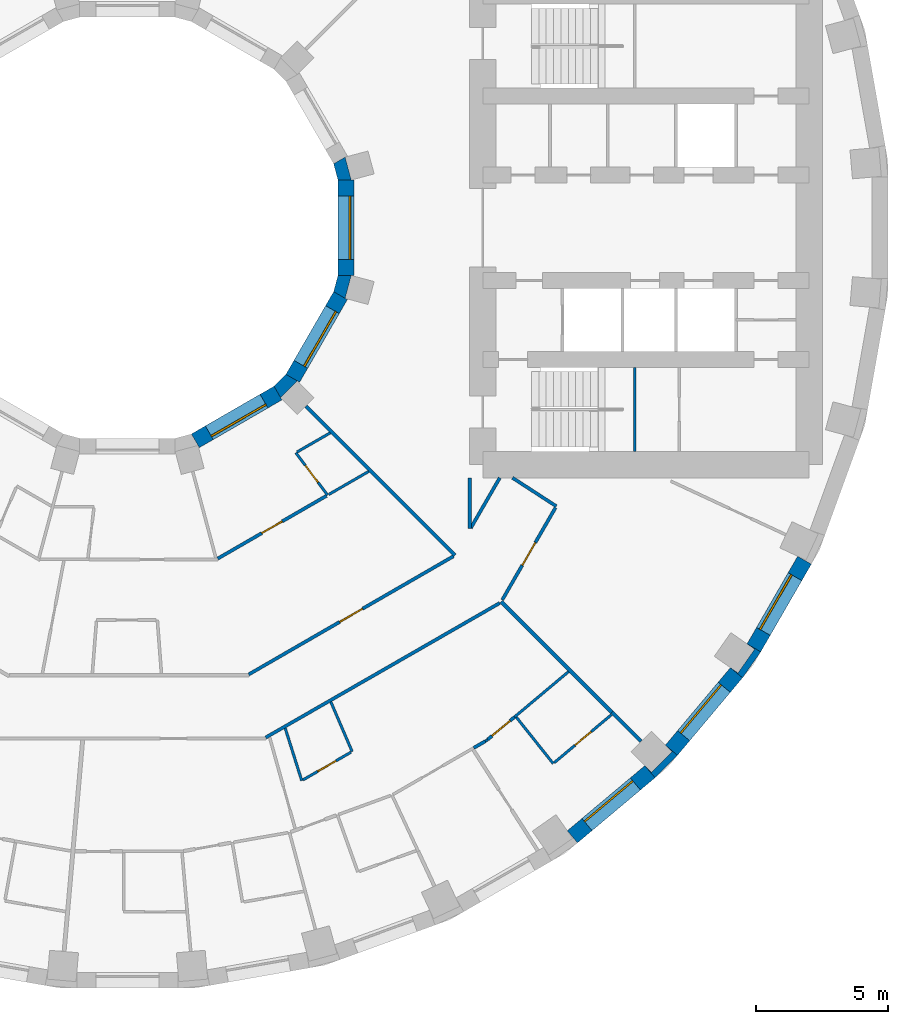
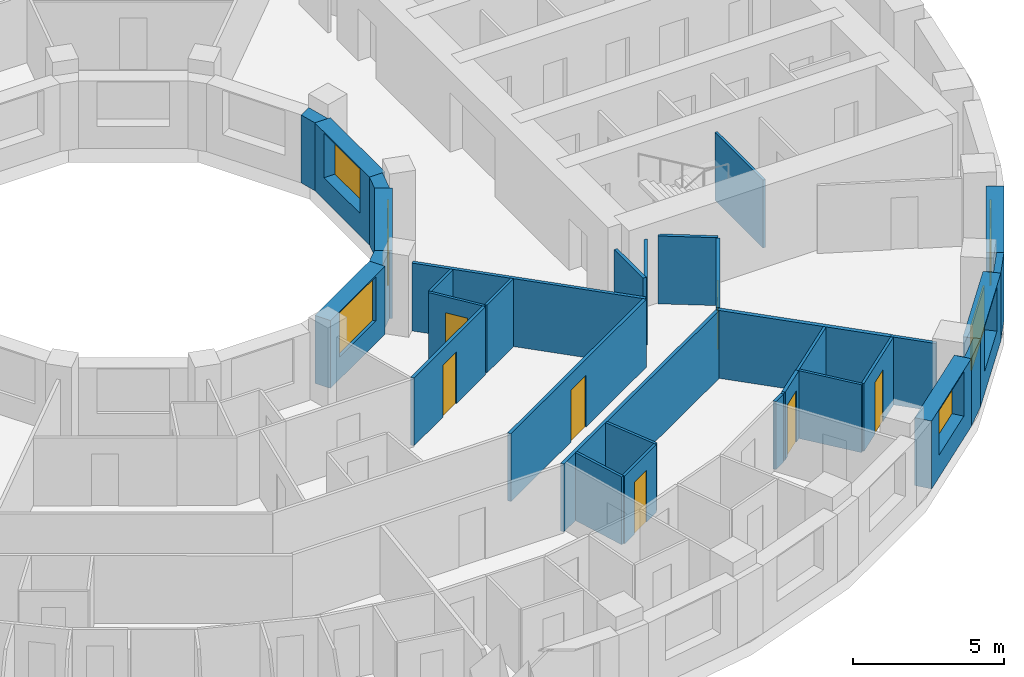
# One storey, part 8 of 15: 34 walls, 7 doors, 6 windows, 13 openings.
"""IFC4 building model written with IfcOpenShell, lengths in metres."""

from ifc_helpers import new_model, si_unit, direction, frame, frame_2d, origin, place, context, subcontext, project, spatial, polyline, rectangle, outline, extrude, material, layer, layer_set, type_object, element, fill, save


model = new_model("IFC4")

# Units and contexts
model_context = context("Model", 3, precision=1e-05, world=origin(), true_north=direction((0.0, 1.0)))
body_context = subcontext(model_context, "Body", "Model", "MODEL_VIEW")
ifc_project = project(units=[si_unit("LENGTHUNIT", "METRE"), si_unit("AREAUNIT", "SQUARE_METRE"), si_unit("VOLUMEUNIT", "CUBIC_METRE"), si_unit("PLANEANGLEUNIT", "RADIAN"), si_unit("MASSUNIT", "GRAM", prefix="KILO")], contexts=[model_context])

# Site, building, storey
site_placement = place(None, origin())
site = spatial("IfcSite", under=ifc_project, at=site_placement, CompositionType="ELEMENT")
building_placement = place(site_placement, origin())
building = spatial("IfcBuilding", under=site, at=building_placement, Name="Saqina Gate Tower", CompositionType="ELEMENT")
storey_placement = place(building_placement, frame((0.0, 0.0, 75.800048828125)))
storey = spatial("IfcBuildingStorey", under=building, at=storey_placement, Name="L21", CompositionType="ELEMENT", Elevation=75.800048828125)

# Walls
ifc_material_1 = material(Name="Brick masonry (red)", Category="masonry")
wall_type_1 = type_object("IfcWallType", Name="BRICK PIER COPING RED", PredefinedType="SOLIDWALL", material=ifc_material_1)
wall_1_placement = place(storey_placement, origin())
element("IfcWall", 1, at=wall_1_placement, inside=storey, type_object=wall_type_1, Name="Pier cap L21 column 32", PredefinedType="SOLIDWALL", context=body_context, shape_type="SweptSolid", body=[
    extrude(outline(polyline([(20.894775390625, -20.04296875), (20.43505859375, -19.6572265625), (20.682861328125, -19.905029296875), (19.905029296875, -20.682861328125), (19.6572265625, -20.43505859375), (20.04296875, -20.894775390625), (20.894775390625, -20.04296875)])), origin(), (0.0, 0.0, 1.0), 2.75),
])
wall_2_placement = place(storey_placement, origin())
element("IfcWall", 2, at=wall_2_placement, inside=storey, type_object=wall_type_1, Name="Pier cap L21 column 33", PredefinedType="SOLIDWALL", context=body_context, shape_type="SweptSolid", body=[
    extrude(outline(polyline([(23.36669921875, -17.096923828125), (24.0576171875, -16.110107421875), (23.5380859375, -15.81005859375), (23.8251953125, -16.010986328125), (23.194091796875, -16.912109375), (22.9072265625, -16.711181640625), (23.36669921875, -17.096923828125)])), origin(), (0.0, 0.0, 1.0), 2.75),
])

# Wall, opening, window
ifc_material_2 = material(Name="Brick masonry (red)", Category="masonry")
ifc_layer_1 = layer(ifc_material_2, 0.60009765625)
ifc_layer_set_1 = layer_set([ifc_layer_1], Name="FW-BRICK-RED")
wall_type_2 = type_object("IfcWallType", Name="FW-BRICK-RED", PredefinedType="SOLIDWALL", material=ifc_layer_set_1)
wall_3_placement = place(storey_placement, frame((16.904052734375, -23.136962890625, 0.0), z_axis=(0.0, 0.0, 1.0), x_axis=(0.766026164483, 0.642809392687, 0.0)))
wall_3 = element("IfcWall", 3, at=wall_3_placement, inside=storey, type_object=wall_type_2, Name="Facade wall L21 facet 31", PredefinedType="SOLIDWALL", context=body_context, shape_type="SweptSolid", body=[
    extrude(rectangle(XDim=3.845947265625, YDim=0.60009765625, at=frame_2d((1.9228515625, 0.0))), origin(), (0.0, 0.0, 1.0), 2.75),
])
opening_1_placement = place(wall_3_placement, frame((0.722900390625, 0.0, 0.89990234375)))
opening_1 = element("IfcOpeningElement", 4, at=opening_1_placement, cuts=wall_3, Name="Opening G06-W20", PredefinedType="OPENING", context=body_context, shape_type="SweptSolid", body=[
    extrude(rectangle(XDim=2.39990234375, YDim=1.800048828125, at=frame_2d((1.199951171875, 0.89990234375))), frame((0.0, 0.31201171875, 0.0), z_axis=(0.0, -1.0, 0.0), x_axis=(1.0, 0.0, 0.0)), (0.0, 0.0, 1.0), 0.6240234375),
])
ifc_material_3 = material(Name="Aluminium glazing", Category="aluminium")
window_type_1 = type_object("IfcWindowType", Name="WN-A", PartitioningType="SINGLE_PANEL", PredefinedType="WINDOW", material=ifc_material_3)
window_1_placement = place(opening_1_placement, origin())
window_1 = element("IfcWindow", 5, at=window_1_placement, inside=storey, type_object=window_type_1, Name="Window L21 facet 31", OverallHeight=1.800048828125, OverallWidth=2.39990234375, PartitioningType="SINGLE_PANEL", PredefinedType="WINDOW", context=body_context, shape_type="SweptSolid", body=[
    extrude(rectangle(XDim=2.39990234375, YDim=1.800048828125, at=frame_2d((1.199951171875, 0.89990234375))), frame((0.0, 0.179931640625, 0.0), z_axis=(0.0, -1.0, 0.0), x_axis=(1.0, 0.0, 0.0)), (0.0, 0.0, 1.0), 0.06005859375),
])
fill(opening_1, window_1)

wall_4_placement = place(storey_placement, frame((20.664794921875, -19.85009765625, 0.0), z_axis=(0.0, 0.0, 1.0), x_axis=(0.642809392687, 0.766026164483, 0.0)))
wall_4 = element("IfcWall", 6, at=wall_4_placement, inside=storey, type_object=wall_type_2, Name="Facade wall L21 facet 32", PredefinedType="SOLIDWALL", context=body_context, shape_type="SweptSolid", body=[
    extrude(rectangle(XDim=3.845947265625, YDim=0.60009765625, at=frame_2d((1.9228515625, 0.0))), origin(), (0.0, 0.0, 1.0), 2.75),
])
opening_2_placement = place(wall_4_placement, frame((0.722900390625, 0.0, 0.89990234375)))
opening_2 = element("IfcOpeningElement", 7, at=opening_2_placement, cuts=wall_4, Name="Opening G06-W21", PredefinedType="OPENING", context=body_context, shape_type="SweptSolid", body=[
    extrude(rectangle(XDim=2.39990234375, YDim=1.800048828125, at=frame_2d((1.199951171875, 0.89990234375))), frame((0.0, 0.31201171875, 0.0), z_axis=(0.0, -1.0, 0.0), x_axis=(1.0, 0.0, 0.0)), (0.0, 0.0, 1.0), 0.6240234375),
])
window_2_placement = place(opening_2_placement, origin())
window_2 = element("IfcWindow", 8, at=window_2_placement, inside=storey, type_object=window_type_1, Name="Window L21 facet 32", OverallHeight=1.800048828125, OverallWidth=2.39990234375, PartitioningType="SINGLE_PANEL", PredefinedType="WINDOW", context=body_context, shape_type="SweptSolid", body=[
    extrude(rectangle(XDim=2.39990234375, YDim=1.800048828125, at=frame_2d((1.199951171875, 0.89990234375))), frame((0.0, 0.179931640625, 0.0), z_axis=(0.0, -1.0, 0.0), x_axis=(1.0, 0.0, 0.0)), (0.0, 0.0, 1.0), 0.06005859375),
])
fill(opening_2, window_2)

wall_5_placement = place(storey_placement, frame((23.7978515625, -15.960205078125, 0.0), z_axis=(0.0, 0.0, 1.0), x_axis=(0.499989888488, 0.86603124159, 0.0)))
wall_5 = element("IfcWall", 9, at=wall_5_placement, inside=storey, type_object=wall_type_2, Name="Facade wall L21 facet 33", PredefinedType="SOLIDWALL", context=body_context, shape_type="SweptSolid", body=[
    extrude(rectangle(XDim=3.845703125, YDim=0.60009765625, at=frame_2d((1.9228515625, 0.0))), origin(), (0.0, 0.0, 1.0), 2.75),
])
opening_3_placement = place(wall_5_placement, frame((0.722900390625, 0.0, 0.89990234375)))
opening_3 = element("IfcOpeningElement", 10, at=opening_3_placement, cuts=wall_5, Name="Opening G06-W22", PredefinedType="OPENING", context=body_context, shape_type="SweptSolid", body=[
    extrude(rectangle(XDim=2.39990234375, YDim=1.800048828125, at=frame_2d((1.199951171875, 0.89990234375))), frame((0.0, 0.31201171875, 0.0), z_axis=(0.0, -1.0, 0.0), x_axis=(1.0, 0.0, 0.0)), (0.0, 0.0, 1.0), 0.6240234375),
])
window_3_placement = place(opening_3_placement, origin())
window_3 = element("IfcWindow", 11, at=window_3_placement, inside=storey, type_object=window_type_1, Name="Window L21 facet 33", OverallHeight=1.800048828125, OverallWidth=2.39990234375, PartitioningType="SINGLE_PANEL", PredefinedType="WINDOW", context=body_context, shape_type="SweptSolid", body=[
    extrude(rectangle(XDim=2.39990234375, YDim=1.800048828125, at=frame_2d((1.199951171875, 0.89990234375))), frame((0.0, 0.179931640625, 0.0), z_axis=(0.0, -1.0, 0.0), x_axis=(1.0, 0.0, 0.0)), (0.0, 0.0, 1.0), 0.06005859375),
])
fill(opening_3, window_3)

ifc_material_4 = material(Name="Glazed ceramic tile", Category="ceramic")
ifc_layer_2 = layer(ifc_material_4, 0.60009765625)
ifc_layer_set_2 = layer_set([ifc_layer_2], Name="IW-TILE")
wall_type_3 = type_object("IfcWallType", Name="IW-TILE", PredefinedType="SOLIDWALL", material=ifc_layer_set_2)
wall_6_placement = place(storey_placement, frame((2.580322265625, -8.09423828125, 0.0), z_axis=(0.0, 0.0, 1.0), x_axis=(0.866029693906, 0.499992569217, 0.0)))
wall_6 = element("IfcWall", 12, at=wall_6_placement, inside=storey, type_object=wall_type_3, Name="Well wall L21 facet 10", PredefinedType="SOLIDWALL", context=body_context, shape_type="SweptSolid", body=[
    extrude(rectangle(XDim=3.625, YDim=0.60009765625, at=frame_2d((1.8125, 0.0))), origin(), (0.0, 0.0, 1.0), 2.75),
])
opening_4_placement = place(wall_6_placement, frame((0.612548828125, 0.0, 0.89990234375)))
opening_4 = element("IfcOpeningElement", 13, at=opening_4_placement, cuts=wall_6, Name="Opening G06-W32", PredefinedType="OPENING", context=body_context, shape_type="SweptSolid", body=[
    extrude(rectangle(XDim=2.39990234375, YDim=1.800048828125, at=frame_2d((1.199951171875, 0.89990234375))), frame((0.0, 0.31201171875, 0.0), z_axis=(0.0, -1.0, 0.0), x_axis=(1.0, 0.0, 0.0)), (0.0, 0.0, 1.0), 0.6240234375),
])
ifc_material_5 = material(Name="Aluminium glazing", Category="aluminium")
window_type_2 = type_object("IfcWindowType", Name="WN-W", PartitioningType="SINGLE_PANEL", PredefinedType="WINDOW", material=ifc_material_5)
window_4_placement = place(opening_4_placement, origin())
window_4 = element("IfcWindow", 14, at=window_4_placement, inside=storey, type_object=window_type_2, Name="Well window L21 facet 10", OverallHeight=1.800048828125, OverallWidth=2.39990234375, PartitioningType="SINGLE_PANEL", PredefinedType="WINDOW", context=body_context, shape_type="SweptSolid", body=[
    extrude(rectangle(XDim=2.39990234375, YDim=1.800048828125, at=frame_2d((1.199951171875, 0.89990234375))), frame((0.0, -0.119873046875, 0.0), z_axis=(0.0, -1.0, 0.0), x_axis=(1.0, 0.0, 0.0)), (0.0, 0.0, 1.0), 0.06005859375),
])
fill(opening_4, window_4)

wall_7_placement = place(storey_placement, frame((6.28173828125, -5.7197265625, 0.0), z_axis=(0.0, 0.0, 1.0), x_axis=(0.499992569217, 0.866029693906, 0.0)))
wall_7 = element("IfcWall", 15, at=wall_7_placement, inside=storey, type_object=wall_type_3, Name="Well wall L21 facet 11", PredefinedType="SOLIDWALL", context=body_context, shape_type="SweptSolid", body=[
    extrude(rectangle(XDim=3.625, YDim=0.60009765625, at=frame_2d((1.8125, 0.0))), origin(), (0.0, 0.0, 1.0), 2.75),
])
opening_5_placement = place(wall_7_placement, frame((0.612548828125, 0.0, 0.89990234375)))
opening_5 = element("IfcOpeningElement", 16, at=opening_5_placement, cuts=wall_7, Name="Opening G06-W33", PredefinedType="OPENING", context=body_context, shape_type="SweptSolid", body=[
    extrude(rectangle(XDim=2.39990234375, YDim=1.800048828125, at=frame_2d((1.199951171875, 0.89990234375))), frame((0.0, 0.31201171875, 0.0), z_axis=(0.0, -1.0, 0.0), x_axis=(1.0, 0.0, 0.0)), (0.0, 0.0, 1.0), 0.6240234375),
])
window_5_placement = place(opening_5_placement, origin())
window_5 = element("IfcWindow", 17, at=window_5_placement, inside=storey, type_object=window_type_2, Name="Well window L21 facet 11", OverallHeight=1.800048828125, OverallWidth=2.39990234375, PartitioningType="SINGLE_PANEL", PredefinedType="WINDOW", context=body_context, shape_type="SweptSolid", body=[
    extrude(rectangle(XDim=2.39990234375, YDim=1.800048828125, at=frame_2d((1.199951171875, 0.89990234375))), frame((0.0, -0.119873046875, 0.0), z_axis=(0.0, -1.0, 0.0), x_axis=(1.0, 0.0, 0.0)), (0.0, 0.0, 1.0), 0.06005859375),
])
fill(opening_5, window_5)

wall_8_placement = place(storey_placement, frame((8.300048828125, -1.8125, 0.0), z_axis=(0.0, 0.0, 1.0), x_axis=(0.0, 1.0, 0.0)))
wall_8 = element("IfcWall", 18, at=wall_8_placement, inside=storey, type_object=wall_type_3, Name="Well wall L21 facet 12", PredefinedType="SOLIDWALL", context=body_context, shape_type="SweptSolid", body=[
    extrude(rectangle(XDim=3.625, YDim=0.60009765625, at=frame_2d((1.8125, 0.0))), origin(), (0.0, 0.0, 1.0), 2.75),
])
opening_6_placement = place(wall_8_placement, frame((0.612548828125, 0.0, 0.89990234375)))
opening_6 = element("IfcOpeningElement", 19, at=opening_6_placement, cuts=wall_8, Name="Opening G06-W34", PredefinedType="OPENING", context=body_context, shape_type="SweptSolid", body=[
    extrude(rectangle(XDim=2.39990234375, YDim=1.800048828125, at=frame_2d((1.199951171875, 0.89990234375))), frame((0.0, 0.31201171875, 0.0), z_axis=(0.0, -1.0, 0.0), x_axis=(1.0, 0.0, 0.0)), (0.0, 0.0, 1.0), 0.6240234375),
])
window_6_placement = place(opening_6_placement, origin())
window_6 = element("IfcWindow", 20, at=window_6_placement, inside=storey, type_object=window_type_2, Name="Well window L21 facet 12", OverallHeight=1.800048828125, OverallWidth=2.39990234375, PartitioningType="SINGLE_PANEL", PredefinedType="WINDOW", context=body_context, shape_type="SweptSolid", body=[
    extrude(rectangle(XDim=2.39990234375, YDim=1.800048828125, at=frame_2d((1.199951171875, 0.89990234375))), frame((0.0, -0.119873046875, 0.0), z_axis=(0.0, -1.0, 0.0), x_axis=(1.0, 0.0, 0.0)), (0.0, 0.0, 1.0), 0.06005859375),
])
fill(opening_6, window_6)

# Walls
ifc_material_6 = material(Name="Gypsum board on steel studs, 100 mm", Category="steel")
ifc_layer_3 = layer(ifc_material_6, 0.10009765625)
ifc_layer_set_3 = layer_set([ifc_layer_3], Name="PARTITION 100")
wall_type_4 = type_object("IfcWallType", Name="PARTITION 100", PredefinedType="PARTITIONING", material=ifc_layer_set_3)
wall_9_placement = place(storey_placement, frame((5.993896484375, -19.010986328125, 0.0), z_axis=(0.0, 0.0, 1.0), x_axis=(0.30075653294, -0.953700953074, 0.0)))
element("IfcWall", 21, at=wall_9_placement, inside=storey, type_object=wall_type_4, Name="PARTITION PW3-11", PredefinedType="PARTITIONING", context=body_context, shape_type="SweptSolid", body=[
    extrude(rectangle(XDim=2.088623046875, YDim=0.10009765625, at=frame_2d((1.04443359375, 0.0))), origin(), (0.0, 0.0, 1.0), 2.75),
])
wall_10_placement = place(storey_placement, frame((7.726806640625, -18.01171875, 0.0), z_axis=(0.0, 0.0, 1.0), x_axis=(0.394206404495, -0.919021931542, 0.0)))
element("IfcWall", 22, at=wall_10_placement, inside=storey, type_object=wall_type_4, Name="PARTITION PW3-16", PredefinedType="PARTITIONING", context=body_context, shape_type="SweptSolid", body=[
    extrude(rectangle(XDim=2.052490234375, YDim=0.10009765625, at=frame_2d((1.0263671875, 0.0))), origin(), (0.0, 0.0, 1.0), 2.75),
])

# Wall, opening, door
wall_11_placement = place(storey_placement, frame((6.39697265625, -8.5458984375, 0.0), z_axis=(0.0, 0.0, 1.0), x_axis=(0.599127127914, -0.800653910624, 0.0)))
wall_11 = element("IfcWall", 23, at=wall_11_placement, inside=storey, type_object=wall_type_4, Name="PARTITION PW3-27", PredefinedType="PARTITIONING", context=body_context, shape_type="SweptSolid", body=[
    extrude(rectangle(XDim=2.0146484375, YDim=0.10009765625, at=frame_2d((1.00732421875, 0.0))), origin(), (0.0, 0.0, 1.0), 2.75),
])
opening_7_placement = place(wall_11_placement, frame((0.607421875, 0.0, 0.0)))
opening_7 = element("IfcOpeningElement", 24, at=opening_7_placement, cuts=wall_11, Name="Opening G06-D69", PredefinedType="OPENING", context=body_context, shape_type="SweptSolid", body=[
    extrude(rectangle(XDim=0.800048828125, YDim=2.10009765625, at=frame_2d((0.39990234375, 1.050048828125))), frame((0.0, 0.06201171875, 0.0), z_axis=(0.0, -1.0, 0.0), x_axis=(1.0, 0.0, 0.0)), (0.0, 0.0, 1.0), 0.1240234375),
])
ifc_material_7 = material(Name="Timber door leaf, 800 mm", Category="wood")
door_type_1 = type_object("IfcDoorType", Name="DOOR 800 TIMBER", OperationType="SINGLE_SWING_LEFT", PredefinedType="DOOR", material=ifc_material_7)
door_1_placement = place(opening_7_placement, frame((0.800048828125, 0.0, 0.0), z_axis=(0.0, 0.0, 1.0), x_axis=(-1.0, 0.0, 0.0)))
door_1 = element("IfcDoor", 25, at=door_1_placement, inside=storey, type_object=door_type_1, Name="DOOR G06-D69", OperationType="SINGLE_SWING_LEFT", OverallHeight=2.10009765625, OverallWidth=0.800048828125, PredefinedType="DOOR", context=body_context, shape_type="SweptSolid", body=[
    extrude(rectangle(XDim=0.800048828125, YDim=2.10009765625, at=frame_2d((0.39990234375, 1.050048828125))), frame((0.0, 0.02490234375, 0.0), z_axis=(0.0, -1.0, 0.0), x_axis=(1.0, 0.0, 0.0)), (0.0, 0.0, 1.0), 0.050048828125),
])
fill(opening_7, door_1)

# Walls
wall_12_placement = place(storey_placement, frame((14.774169921875, -18.59326171875, 0.0), z_axis=(0.0, 0.0, 1.0), x_axis=(0.622124779816, -0.782918104491, 0.0)))
element("IfcWall", 26, at=wall_12_placement, inside=storey, type_object=wall_type_4, Name="PARTITION PW3-28", PredefinedType="PARTITIONING", context=body_context, shape_type="SweptSolid", body=[
    extrude(rectangle(XDim=2.250244140625, YDim=0.10009765625, at=frame_2d((1.125, 0.0))), origin(), (0.0, 0.0, 1.0), 2.75),
])
wall_13_placement = place(storey_placement, frame((13.5966796875, -19.5048828125, 0.0), z_axis=(0.0, 0.0, 1.0), x_axis=(0.86665063443, 0.498915501706, 0.0)))
element("IfcWall", 27, at=wall_13_placement, inside=storey, type_object=wall_type_4, Name="PARTITION PW3-74", PredefinedType="PARTITIONING", context=body_context, shape_type="SweptSolid", body=[
    extrude(rectangle(XDim=0.113525390625, YDim=0.10009765625, at=frame_2d((0.056640625, 0.0))), origin(), (0.0, 0.0, 1.0), 2.75),
])

# Wall, opening, door
wall_14_placement = place(storey_placement, frame((6.665283203125, -20.97802734375, 0.0), z_axis=(0.0, 0.0, 1.0), x_axis=(0.866048788483, 0.499959494327, 0.0)))
wall_14 = element("IfcWall", 28, at=wall_14_placement, inside=storey, type_object=wall_type_4, Name="PARTITION PW3-75", PredefinedType="PARTITIONING", context=body_context, shape_type="SweptSolid", body=[
    extrude(rectangle(XDim=2.110107421875, YDim=0.10009765625, at=frame_2d((1.05517578125, 0.0))), origin(), (0.0, 0.0, 1.0), 2.75),
])
opening_8_placement = place(wall_14_placement, frame((0.655029296875, 0.0, 0.0)))
opening_8 = element("IfcOpeningElement", 29, at=opening_8_placement, cuts=wall_14, Name="Opening G06-D62", PredefinedType="OPENING", context=body_context, shape_type="SweptSolid", body=[
    extrude(rectangle(XDim=0.800048828125, YDim=2.10009765625, at=frame_2d((0.39990234375, 1.050048828125))), frame((0.0, 0.06201171875, 0.0), z_axis=(0.0, -1.0, 0.0), x_axis=(1.0, 0.0, 0.0)), (0.0, 0.0, 1.0), 0.1240234375),
])
door_2_placement = place(opening_8_placement, frame((0.800048828125, 0.0, 0.0), z_axis=(0.0, 0.0, 1.0), x_axis=(-1.0, 0.0, 0.0)))
door_2 = element("IfcDoor", 30, at=door_2_placement, inside=storey, type_object=door_type_1, Name="DOOR G06-D62", OperationType="SINGLE_SWING_RIGHT", OverallHeight=2.10009765625, OverallWidth=0.800048828125, PredefinedType="DOOR", context=body_context, shape_type="SweptSolid", body=[
    extrude(rectangle(XDim=0.800048828125, YDim=2.10009765625, at=frame_2d((0.39990234375, 1.050048828125))), frame((0.0, 0.02490234375, 0.0), z_axis=(0.0, -1.0, 0.0), x_axis=(1.0, 0.0, 0.0)), (0.0, 0.0, 1.0), 0.050048828125),
])
fill(opening_8, door_2)

# Walls
wall_15_placement = place(storey_placement, frame((7.647216796875, -10.134033203125, 0.0), z_axis=(0.0, 0.0, 1.0), x_axis=(0.86608153646, 0.499902762748, 0.0)))
element("IfcWall", 31, at=wall_15_placement, inside=storey, type_object=wall_type_4, Name="PARTITION PW3-76", PredefinedType="PARTITIONING", context=body_context, shape_type="SweptSolid", body=[
    extrude(rectangle(XDim=1.758056640625, YDim=0.10009765625, at=frame_2d((0.87890625, 0.0))), origin(), (0.0, 0.0, 1.0), 2.75),
])
wall_16_placement = place(storey_placement, frame((6.4404296875, -8.52099609375, 0.0), z_axis=(0.0, 0.0, 1.0), x_axis=(0.866271831494, 0.499572931572, 0.0)))
element("IfcWall", 32, at=wall_16_placement, inside=storey, type_object=wall_type_4, Name="PARTITION PW3-77", PredefinedType="PARTITIONING", context=body_context, shape_type="SweptSolid", body=[
    extrude(rectangle(XDim=1.460693359375, YDim=0.10009765625, at=frame_2d((0.73046875, 0.0))), origin(), (0.0, 0.0, 1.0), 2.75),
])

# Wall, opening, door
wall_17_placement = place(storey_placement, frame((16.21240234375, -20.32275390625, 0.0), z_axis=(0.0, 0.0, 1.0), x_axis=(0.766232462385, 0.642563470474, 0.0)))
wall_17 = element("IfcWall", 33, at=wall_17_placement, inside=storey, type_object=wall_type_4, Name="PARTITION PW3-88", PredefinedType="PARTITIONING", context=body_context, shape_type="SweptSolid", body=[
    extrude(rectangle(XDim=2.8427734375, YDim=0.10009765625, at=frame_2d((1.42138671875, 0.0))), origin(), (0.0, 0.0, 1.0), 2.75),
])
opening_9_placement = place(wall_17_placement, frame((1.033935546875, 0.0, 0.0)))
opening_9 = element("IfcOpeningElement", 34, at=opening_9_placement, cuts=wall_17, Name="Opening G06-D70", PredefinedType="OPENING", context=body_context, shape_type="SweptSolid", body=[
    extrude(rectangle(XDim=0.800048828125, YDim=2.10009765625, at=frame_2d((0.39990234375, 1.050048828125))), frame((0.0, 0.06201171875, 0.0), z_axis=(0.0, -1.0, 0.0), x_axis=(1.0, 0.0, 0.0)), (0.0, 0.0, 1.0), 0.1240234375),
])
door_3_placement = place(opening_9_placement, frame((0.800048828125, 0.0, 0.0), z_axis=(0.0, 0.0, 1.0), x_axis=(-1.0, 0.0, 0.0)))
door_3 = element("IfcDoor", 35, at=door_3_placement, inside=storey, type_object=door_type_1, Name="DOOR G06-D70", OperationType="SINGLE_SWING_LEFT", OverallHeight=2.10009765625, OverallWidth=0.800048828125, PredefinedType="DOOR", context=body_context, shape_type="SweptSolid", body=[
    extrude(rectangle(XDim=0.800048828125, YDim=2.10009765625, at=frame_2d((0.39990234375, 1.050048828125))), frame((0.0, 0.02490234375, 0.0), z_axis=(0.0, -1.0, 0.0), x_axis=(1.0, 0.0, 0.0)), (0.0, 0.0, 1.0), 0.050048828125),
])
fill(opening_9, door_3)

# Walls
wall_18_placement = place(storey_placement, frame((14.704345703125, -18.5859375, 0.0), z_axis=(0.0, 0.0, 1.0), x_axis=(0.765999084346, 0.642841662294, 0.0)))
element("IfcWall", 36, at=wall_18_placement, inside=storey, type_object=wall_type_4, Name="PARTITION PW3-89", PredefinedType="PARTITIONING", context=body_context, shape_type="SweptSolid", body=[
    extrude(rectangle(XDim=2.68017578125, YDim=0.10009765625, at=frame_2d((1.340087890625, 0.0))), origin(), (0.0, 0.0, 1.0), 2.75),
])
ifc_material_8 = material(Name="Gypsum board on steel studs, 125 mm, fire rated", Category="steel")
ifc_layer_4 = layer(ifc_material_8, 0.125)
ifc_layer_set_4 = layer_set([ifc_layer_4], Name="PARTITION EI 30 125")
wall_type_5 = type_object("IfcWallType", Name="PARTITION EI 30 125", PredefinedType="PARTITIONING", material=ifc_layer_set_4)
wall_19_placement = place(storey_placement, frame((6.78271484375, -6.78271484375, 0.0), z_axis=(0.0, 0.0, 1.0), x_axis=(0.707106781187, -0.707106781187, 0.0)))
element("IfcWall", 37, at=wall_19_placement, inside=storey, type_object=wall_type_5, Name="PARTITION PW1-14", PredefinedType="PARTITIONING", context=body_context, shape_type="SweptSolid", body=[
    extrude(rectangle(XDim=8.0078125, YDim=0.125, at=frame_2d((4.00390625, 0.0))), origin(), (0.0, 0.0, 1.0), 2.75),
])
wall_20_placement = place(storey_placement, frame((18.40380859375, -18.40380859375, 0.0), z_axis=(0.0, 0.0, 1.0), x_axis=(0.707106781187, -0.707106781187, 0.0)))
element("IfcWall", 38, at=wall_20_placement, inside=storey, type_object=wall_type_5, Name="PARTITION PW1-15", PredefinedType="PARTITIONING", context=body_context, shape_type="SweptSolid", body=[
    extrude(rectangle(XDim=1.56298828125, YDim=0.125, at=frame_2d((0.781494140625, 0.0))), origin(), (0.0, 0.0, 1.0), 2.75),
])
wall_21_placement = place(storey_placement, frame((14.62890625, -9.5, 0.0), z_axis=(0.0, 0.0, 1.0), x_axis=(0.838803325008, -0.544434552499, 0.0)))
element("IfcWall", 39, at=wall_21_placement, inside=storey, type_object=wall_type_5, Name="PARTITION PW1-19", PredefinedType="PARTITIONING", context=body_context, shape_type="SweptSolid", body=[
    extrude(rectangle(XDim=1.98388671875, YDim=0.125, at=frame_2d((0.991943359375, 0.0))), origin(), (0.0, 0.0, 1.0), 2.75),
])
wall_22_placement = place(storey_placement, frame((5.251220703125, -19.366943359375, 0.0), z_axis=(0.0, 0.0, 1.0), x_axis=(0.86701914354, 0.498274828519, 0.0)))
element("IfcWall", 40, at=wall_22_placement, inside=storey, type_object=wall_type_5, Name="PARTITION PW1-42", PredefinedType="PARTITIONING", context=body_context, shape_type="SweptSolid", body=[
    extrude(rectangle(XDim=10.259033203125, YDim=0.125, at=frame_2d((5.12939453125, 0.0))), origin(), (0.0, 0.0, 1.0), 2.75),
])
wall_23_placement = place(storey_placement, frame((13.154296875, -19.760986328125, 0.0), z_axis=(0.0, 0.0, 1.0), x_axis=(0.865644253932, 0.500659590574, 0.0)))
element("IfcWall", 41, at=wall_23_placement, inside=storey, type_object=wall_type_5, Name="PARTITION PW1-44", PredefinedType="PARTITIONING", context=body_context, shape_type="SweptSolid", body=[
    extrude(rectangle(XDim=0.510986328125, YDim=0.125, at=frame_2d((0.25537109375, 0.0))), origin(), (0.0, 0.0, 1.0), 2.75),
])

# Wall, opening, door
wall_24_placement = place(storey_placement, frame((4.609130859375, -16.96875, 0.0), z_axis=(0.0, 0.0, 1.0), x_axis=(0.866042609802, 0.499970197119, 0.0)))
wall_24 = element("IfcWall", 42, at=wall_24_placement, inside=storey, type_object=wall_type_5, Name="PARTITION PW1-45", PredefinedType="PARTITIONING", context=body_context, shape_type="SweptSolid", body=[
    extrude(rectangle(XDim=8.9853515625, YDim=0.125, at=frame_2d((4.49267578125, 0.0))), origin(), (0.0, 0.0, 1.0), 2.75),
])
opening_10_placement = place(wall_24_placement, frame((3.99267578125, 0.0, 0.0)))
opening_10 = element("IfcOpeningElement", 43, at=opening_10_placement, cuts=wall_24, Name="Opening G06-D66", PredefinedType="OPENING", context=body_context, shape_type="SweptSolid", body=[
    extrude(rectangle(XDim=1.0, YDim=2.10009765625, at=frame_2d((0.5, 1.050048828125))), frame((0.0, 0.074462890625, 0.0), z_axis=(0.0, -1.0, 0.0), x_axis=(1.0, 0.0, 0.0)), (0.0, 0.0, 1.0), 0.14892578125),
])
ifc_material_9 = material(Name="Fire door leaf EI 30, 1000 mm")
door_type_2 = type_object("IfcDoorType", Name="DOOR 1000 EI 30", OperationType="SINGLE_SWING_LEFT", PredefinedType="DOOR", material=ifc_material_9)
door_4_placement = place(opening_10_placement, origin())
door_4 = element("IfcDoor", 44, at=door_4_placement, inside=storey, type_object=door_type_2, Name="DOOR G06-D66", OperationType="SINGLE_SWING_LEFT", OverallHeight=2.10009765625, OverallWidth=1.0, PredefinedType="DOOR", context=body_context, shape_type="SweptSolid", body=[
    extrude(rectangle(XDim=1.0, YDim=2.10009765625, at=frame_2d((0.5, 1.050048828125))), frame((0.0, 0.02490234375, 0.0), z_axis=(0.0, -1.0, 0.0), x_axis=(1.0, 0.0, 0.0)), (0.0, 0.0, 1.0), 0.050048828125),
])
fill(opening_10, door_4)

wall_25_placement = place(storey_placement, frame((3.43017578125, -12.56884765625, 0.0), z_axis=(0.0, 0.0, 1.0), x_axis=(0.866029597382, 0.499992736405, 0.0)))
wall_25 = element("IfcWall", 45, at=wall_25_placement, inside=storey, type_object=wall_type_5, Name="PARTITION PW1-46", PredefinedType="PARTITIONING", context=body_context, shape_type="SweptSolid", body=[
    extrude(rectangle(XDim=4.76953125, YDim=0.125, at=frame_2d((2.384765625, 0.0))), origin(), (0.0, 0.0, 1.0), 2.75),
])
opening_11_placement = place(wall_25_placement, frame((1.928466796875, 0.0, 0.0)))
opening_11 = element("IfcOpeningElement", 46, at=opening_11_placement, cuts=wall_25, Name="Opening G06-D64", PredefinedType="OPENING", context=body_context, shape_type="SweptSolid", body=[
    extrude(rectangle(XDim=0.89990234375, YDim=2.10009765625, at=frame_2d((0.449951171875, 1.050048828125))), frame((0.0, 0.074462890625, 0.0), z_axis=(0.0, -1.0, 0.0), x_axis=(1.0, 0.0, 0.0)), (0.0, 0.0, 1.0), 0.14892578125),
])
ifc_material_10 = material(Name="Fire door leaf EI 30, 900 mm")
door_type_3 = type_object("IfcDoorType", Name="DOOR 900 EI 30", OperationType="SINGLE_SWING_LEFT", PredefinedType="DOOR", material=ifc_material_10)
door_5_placement = place(opening_11_placement, frame((0.89990234375, 0.0, 0.0), z_axis=(0.0, 0.0, 1.0), x_axis=(-1.0, 0.0, 0.0)))
door_5 = element("IfcDoor", 47, at=door_5_placement, inside=storey, type_object=door_type_3, Name="DOOR G06-D64", OperationType="SINGLE_SWING_RIGHT", OverallHeight=2.10009765625, OverallWidth=0.89990234375, PredefinedType="DOOR", context=body_context, shape_type="SweptSolid", body=[
    extrude(rectangle(XDim=0.89990234375, YDim=2.10009765625, at=frame_2d((0.449951171875, 1.050048828125))), frame((0.0, 0.02490234375, 0.0), z_axis=(0.0, -1.0, 0.0), x_axis=(1.0, 0.0, 0.0)), (0.0, 0.0, 1.0), 0.050048828125),
])
fill(opening_11, door_5)

wall_26_placement = place(storey_placement, frame((13.68798828125, -19.439697265625, 0.0), z_axis=(0.0, 0.0, 1.0), x_axis=(0.765864266058, 0.643002275249, 0.0)))
wall_26 = element("IfcWall", 48, at=wall_26_placement, inside=storey, type_object=wall_type_5, Name="PARTITION PW1-51", PredefinedType="PARTITIONING", context=body_context, shape_type="SweptSolid", body=[
    extrude(rectangle(XDim=1.327392578125, YDim=0.125, at=frame_2d((0.66357421875, 0.0))), origin(), (0.0, 0.0, 1.0), 2.75),
])
opening_12_placement = place(wall_26_placement, frame((0.20751953125, 0.0, 0.0)))
opening_12 = element("IfcOpeningElement", 49, at=opening_12_placement, cuts=wall_26, Name="Opening G06-D68", PredefinedType="OPENING", context=body_context, shape_type="SweptSolid", body=[
    extrude(rectangle(XDim=0.89990234375, YDim=2.10009765625, at=frame_2d((0.449951171875, 1.050048828125))), frame((0.0, 0.074462890625, 0.0), z_axis=(0.0, -1.0, 0.0), x_axis=(1.0, 0.0, 0.0)), (0.0, 0.0, 1.0), 0.14892578125),
])
door_6_placement = place(opening_12_placement, origin())
door_6 = element("IfcDoor", 50, at=door_6_placement, inside=storey, type_object=door_type_3, Name="DOOR G06-D68", OperationType="SINGLE_SWING_LEFT", OverallHeight=2.10009765625, OverallWidth=0.89990234375, PredefinedType="DOOR", context=body_context, shape_type="SweptSolid", body=[
    extrude(rectangle(XDim=0.89990234375, YDim=2.10009765625, at=frame_2d((0.449951171875, 1.050048828125))), frame((0.0, 0.02490234375, 0.0), z_axis=(0.0, -1.0, 0.0), x_axis=(1.0, 0.0, 0.0)), (0.0, 0.0, 1.0), 0.050048828125),
])
fill(opening_12, door_6)

wall_27_placement = place(storey_placement, frame((14.239501953125, -14.136962890625, 0.0), z_axis=(0.0, 0.0, 1.0), x_axis=(0.499962802816, 0.866046878523, 0.0)))
wall_27 = element("IfcWall", 51, at=wall_27_placement, inside=storey, type_object=wall_type_5, Name="PARTITION PW1-55", PredefinedType="PARTITIONING", context=body_context, shape_type="SweptSolid", body=[
    extrude(rectangle(XDim=4.044677734375, YDim=0.125, at=frame_2d((2.0224609375, 0.0))), origin(), (0.0, 0.0, 1.0), 2.75),
])
opening_13_placement = place(wall_27_placement, frame((1.51611328125, 0.0, 0.0)))
opening_13 = element("IfcOpeningElement", 52, at=opening_13_placement, cuts=wall_27, Name="Opening G06-D71", PredefinedType="OPENING", context=body_context, shape_type="SweptSolid", body=[
    extrude(rectangle(XDim=1.0, YDim=2.10009765625, at=frame_2d((0.5, 1.050048828125))), frame((0.0, 0.074462890625, 0.0), z_axis=(0.0, -1.0, 0.0), x_axis=(1.0, 0.0, 0.0)), (0.0, 0.0, 1.0), 0.14892578125),
])
door_7_placement = place(opening_13_placement, origin())
door_7 = element("IfcDoor", 53, at=door_7_placement, inside=storey, type_object=door_type_2, Name="DOOR G06-D71", OperationType="SINGLE_SWING_LEFT", OverallHeight=2.10009765625, OverallWidth=1.0, PredefinedType="DOOR", context=body_context, shape_type="SweptSolid", body=[
    extrude(rectangle(XDim=1.0, YDim=2.10009765625, at=frame_2d((0.5, 1.050048828125))), frame((0.0, 0.02490234375, 0.0), z_axis=(0.0, -1.0, 0.0), x_axis=(1.0, 0.0, 0.0)), (0.0, 0.0, 1.0), 0.050048828125),
])
fill(opening_13, door_7)

# Walls
wall_28_placement = place(storey_placement, frame((13.044921875, -11.405029296875, 0.0), z_axis=(0.0, 0.0, 1.0), x_axis=(0.500077893725, 0.86598042715, 0.0)))
element("IfcWall", 54, at=wall_28_placement, inside=storey, type_object=wall_type_5, Name="PARTITION PW1-56", PredefinedType="PARTITIONING", context=body_context, shape_type="SweptSolid", body=[
    extrude(rectangle(XDim=2.199951171875, YDim=0.125, at=frame_2d((1.10009765625, 0.0))), origin(), (0.0, 0.0, 1.0), 2.75),
])
wall_29_placement = place(storey_placement, frame((13.0, -11.42041015625, 0.0), z_axis=(0.0, 0.0, 1.0), x_axis=(0.0, 1.0, 0.0)))
element("IfcWall", 55, at=wall_29_placement, inside=storey, type_object=wall_type_5, Name="PARTITION PW1-60", PredefinedType="PARTITIONING", context=body_context, shape_type="SweptSolid", body=[
    extrude(rectangle(XDim=1.92041015625, YDim=0.125, at=frame_2d((0.960205078125, 0.0))), origin(), (0.0, 0.0, 1.0), 2.75),
])
ifc_material_11 = material(Name="Gypsum board on steel studs, 150 mm, fire rated", Category="steel")
ifc_layer_5 = layer(ifc_material_11, 0.14990234375)
ifc_layer_set_5 = layer_set([ifc_layer_5], Name="PARTITION EI 60 150")
wall_type_6 = type_object("IfcWallType", Name="PARTITION EI 60 150", PredefinedType="PARTITIONING", material=ifc_layer_set_5)
wall_30_placement = place(storey_placement, frame((14.201904296875, -14.201904296875, 0.0), z_axis=(0.0, 0.0, 1.0), x_axis=(0.707106781187, -0.707106781187, 0.0)))
element("IfcWall", 56, at=wall_30_placement, inside=storey, type_object=wall_type_6, Name="PARTITION PW2-03", PredefinedType="PARTITIONING", context=body_context, shape_type="SweptSolid", body=[
    extrude(rectangle(XDim=5.9423828125, YDim=0.14990234375, at=frame_2d((2.97119140625, 0.0))), origin(), (0.0, 0.0, 1.0), 2.75),
])
ifc_material_12 = material(Name="Autoclaved aerated concrete block", Category="concrete")
ifc_layer_6 = layer(ifc_material_12, 0.10009765625)
ifc_layer_set_6 = layer_set([ifc_layer_6], Name="STAIR ENCLOSURE WALL")
wall_type_7 = type_object("IfcWallType", Name="STAIR ENCLOSURE WALL", PredefinedType="PARTITIONING", material=ifc_layer_set_6)
wall_31_placement = place(storey_placement, frame((19.27001953125, -8.5, 0.0), z_axis=(0.0, 0.0, 1.0), x_axis=(0.0, 1.0, 0.0)))
element("IfcWall", 57, at=wall_31_placement, inside=storey, type_object=wall_type_7, Name="L21-CP-E11", PredefinedType="PARTITIONING", context=body_context, shape_type="SweptSolid", body=[
    extrude(rectangle(XDim=3.199951171875, YDim=0.10009765625, at=frame_2d((1.60009765625, 0.0))), origin(), (0.0, 0.0, 1.0), 2.75),
])
ifc_material_13 = material(Name="Glazed ceramic tile", Category="ceramic")
wall_type_8 = type_object("IfcWallType", Name="TILE PIER COPING", PredefinedType="SOLIDWALL", material=ifc_material_13)
wall_32_placement = place(storey_placement, origin())
element("IfcWall", 58, at=wall_32_placement, inside=storey, type_object=wall_type_8, Name="Well pier cap L21 column 1", PredefinedType="SOLIDWALL", context=body_context, shape_type="SweptSolid", body=[
    extrude(outline(polyline([(8.27001953125, 2.681884765625), (7.83447265625, 2.430419921875), (8.0, 1.8125), (8.502685546875, 1.8125), (8.27001953125, 2.681884765625)])), origin(), (0.0, 0.0, 1.0), 2.75),
])
wall_33_placement = place(storey_placement, origin())
element("IfcWall", 59, at=wall_33_placement, inside=storey, type_object=wall_type_8, Name="Well pier cap L21 column 11", PredefinedType="SOLIDWALL", context=body_context, shape_type="SweptSolid", body=[
    extrude(outline(polyline([(5.821044921875, -6.45751953125), (6.45751953125, -5.821044921875), (6.02197265625, -5.569580078125), (5.569580078125, -6.02197265625), (5.821044921875, -6.45751953125)])), origin(), (0.0, 0.0, 1.0), 2.75),
])
wall_34_placement = place(storey_placement, origin())
element("IfcWall", 60, at=wall_34_placement, inside=storey, type_object=wall_type_8, Name="Well pier cap L21 column 12", PredefinedType="SOLIDWALL", context=body_context, shape_type="SweptSolid", body=[
    extrude(outline(polyline([(8.502685546875, -1.8125), (8.0, -1.8125), (7.83447265625, -2.430419921875), (8.27001953125, -2.681884765625), (8.502685546875, -1.8125)])), origin(), (0.0, 0.0, 1.0), 2.75),
])

save(model, "model.ifc")
